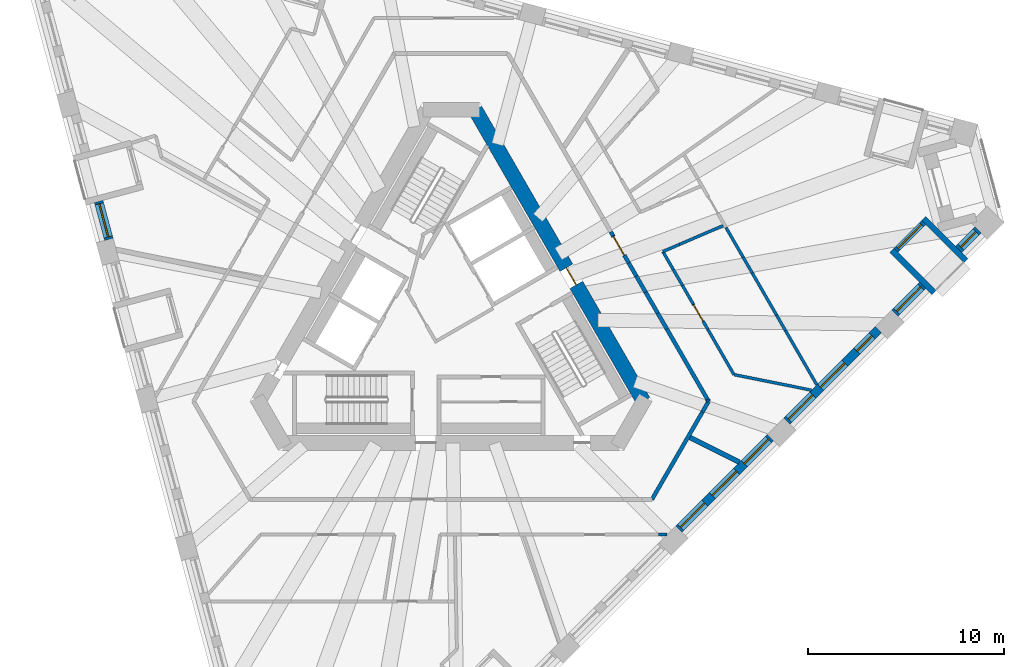
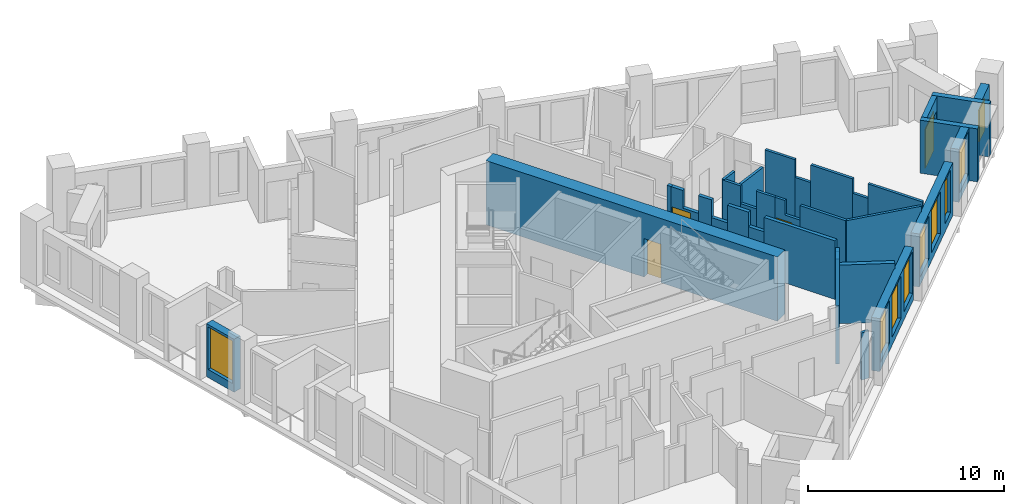
# One storey, part 5 of 13: 34 walls, 9 windows, 4 doors, 13 openings.
"""IFC4 building model written with IfcOpenShell, lengths in metres."""

from ifc_helpers import new_model, si_unit, direction, frame, frame_2d, origin, place, context, subcontext, project, spatial, polyline, rectangle, outline, extrude, material, layer, layer_set, type_object, element, fill, save


model = new_model("IFC4")

# Units and contexts
model_context = context("Model", 3, precision=1e-05, world=origin(), true_north=direction((0.0, 1.0)))
body_context = subcontext(model_context, "Body", "Model", "MODEL_VIEW")
ifc_project = project(units=[si_unit("LENGTHUNIT", "METRE"), si_unit("AREAUNIT", "SQUARE_METRE"), si_unit("VOLUMEUNIT", "CUBIC_METRE"), si_unit("PLANEANGLEUNIT", "RADIAN"), si_unit("MASSUNIT", "GRAM", prefix="KILO")], contexts=[model_context])

# Site, building, storey
site_placement = place(None, origin())
site = spatial("IfcSite", under=ifc_project, at=site_placement, CompositionType="ELEMENT")
building_placement = place(site_placement, origin())
building = spatial("IfcBuilding", under=site, at=building_placement, Name="Tramontana Tower", CompositionType="ELEMENT")
storey_placement = place(building_placement, frame((0.0, 0.0, 228.0)))
storey = spatial("IfcBuildingStorey", under=building, at=storey_placement, Name="L53", CompositionType="ELEMENT", Elevation=228.0)

# Wall, opening, door
ifc_material_1 = material(Name="Concrete 70 MPa", Category="concrete")
ifc_layer_1 = layer(ifc_material_1, 0.75)
ifc_layer_set_1 = layer_set([ifc_layer_1], Name="Core wall 750 70 MPa")
wall_type_1 = type_object("IfcWallType", Name="Core wall 750 70 MPa", PredefinedType="SHEAR", material=ifc_layer_set_1)
wall_1_placement = place(storey_placement, frame((9.81494140625, -4.25, 0.0), z_axis=(0.0, 0.0, 1.0), x_axis=(-0.500002161919, 0.866024155596, 0.0)))
wall_1 = element("IfcWall", 1, at=wall_1_placement, inside=storey, type_object=wall_type_1, Name="Core wall C5 L53", PredefinedType="SHEAR", context=body_context, shape_type="SweptSolid", body=[
    extrude(rectangle(XDim=17.17626953125, YDim=0.75, at=frame_2d((8.588134765625, 0.0))), origin(), (0.0, 0.0, 1.0), 4.0),
])
opening_1_placement = place(wall_1_placement, frame((6.863037109375, 0.0, 0.0)))
opening_1 = element("IfcOpeningElement", 2, at=opening_1_placement, cuts=wall_1, Name="Opening RG3", PredefinedType="OPENING", context=body_context, shape_type="SweptSolid", body=[
    extrude(rectangle(XDim=1.0, YDim=2.39990234375, at=frame_2d((0.5, 1.199951171875))), frame((0.0, 0.385009765625, 0.0), z_axis=(0.0, -1.0, 0.0), x_axis=(1.0, 0.0, 0.0)), (0.0, 0.0, 1.0), 0.77001953125),
])
ifc_material_2 = material(Name="Painted steel", Category="steel")
door_type_1 = type_object("IfcDoorType", Name="RING DOOR 1000", OperationType="SINGLE_SWING_LEFT", PredefinedType="DOOR", material=ifc_material_2)
door_1_placement = place(opening_1_placement, origin())
door_1 = element("IfcDoor", 3, at=door_1_placement, inside=storey, type_object=door_type_1, Name="Door RG3", OperationType="SINGLE_SWING_RIGHT", OverallHeight=2.39990234375, OverallWidth=1.0, PredefinedType="DOOR", context=body_context, shape_type="SweptSolid", body=[
    extrude(rectangle(XDim=1.0, YDim=2.39990234375, at=frame_2d((0.5, 1.199951171875))), frame((0.0, 0.02490234375, 0.0), z_axis=(0.0, -1.0, 0.0), x_axis=(1.0, 0.0, 0.0)), (0.0, 0.0, 1.0), 0.050048828125),
])
fill(opening_1, door_1)

# Wall
ifc_material_3 = material(Name="Blockwork", Category="masonry")
ifc_layer_2 = layer(ifc_material_3, 0.199951171875)
ifc_layer_set_2 = layer_set([ifc_layer_2], Name="ENTRY WALL 200")
wall_type_2 = type_object("IfcWallType", Name="ENTRY WALL 200", PredefinedType="SOLIDWALL", material=ifc_layer_set_2)
wall_2_placement = place(storey_placement, frame((8.143310546875, 4.3955078125, 0.0), z_axis=(0.0, 0.0, 1.0), x_axis=(0.499230902886, -0.866468987099, 0.0)))
element("IfcWall", 4, at=wall_2_placement, inside=storey, type_object=wall_type_2, Name="Wall v52-ew0-6", PredefinedType="SOLIDWALL", context=body_context, shape_type="SweptSolid", body=[
    extrude(rectangle(XDim=0.229248046875, YDim=0.199951171875, at=frame_2d((0.11474609375, 0.0))), origin(), (0.0, 0.0, 1.0), 3.64990234375),
])

# Wall, opening, door
wall_3_placement = place(storey_placement, frame((8.2578125, 4.19677734375, 0.0), z_axis=(0.0, 0.0, 1.0), x_axis=(0.500138504756, -0.865945423257, 0.0)))
wall_3 = element("IfcWall", 5, at=wall_3_placement, inside=storey, type_object=wall_type_2, Name="Wall v52-ew0-7", PredefinedType="SOLIDWALL", context=body_context, shape_type="SweptSolid", body=[
    extrude(outline(polyline([(0.0, 0.0), (1.6083984375, 0.0), (1.608642578125, 2.550048828125), (0.6943359375, 2.550048828125), (0.6943359375, 3.64990234375), (0.0, 3.64990234375), (0.0, 0.0)])), frame((0.0, 0.10009765625, 0.0), z_axis=(0.0, -1.0, 0.0), x_axis=(1.0, 0.0, 0.0)), (0.0, 0.0, 1.0), 0.199951171875),
])
opening_2_placement = place(wall_3_placement, frame((0.050048828125, 0.0, 0.0)))
opening_2 = element("IfcOpeningElement", 6, at=opening_2_placement, cuts=wall_3, Name="Opening B5C-19", PredefinedType="OPENING", context=body_context, shape_type="SweptSolid", body=[
    extrude(rectangle(XDim=1.10009765625, YDim=2.39990234375, at=frame_2d((0.550048828125, 1.199951171875))), frame((0.0, 0.10986328125, 0.0), z_axis=(0.0, -1.0, 0.0), x_axis=(1.0, 0.0, 0.0)), (0.0, 0.0, 1.0), 0.219970703125),
])
ifc_material_4 = material(Name="Painted timber", Category="wood")
door_type_2 = type_object("IfcDoorType", Name="DOOR ENTRY 1100", OperationType="SINGLE_SWING_LEFT", PredefinedType="DOOR", material=ifc_material_4)
door_2_placement = place(opening_2_placement, origin())
door_2 = element("IfcDoor", 7, at=door_2_placement, inside=storey, type_object=door_type_2, Name="Door B5C-19", OperationType="SINGLE_SWING_LEFT", OverallHeight=2.39990234375, OverallWidth=1.10009765625, PredefinedType="DOOR", context=body_context, shape_type="SweptSolid", body=[
    extrude(rectangle(XDim=1.10009765625, YDim=2.39990234375, at=frame_2d((0.550048828125, 1.199951171875))), frame((0.0, 0.02490234375, 0.0), z_axis=(0.0, -1.0, 0.0), x_axis=(1.0, 0.0, 0.0)), (0.0, 0.0, 1.0), 0.050048828125),
])
fill(opening_2, door_2)

# Walls
wall_4_placement = place(storey_placement, frame((9.062255859375, 2.803955078125, 0.0), z_axis=(0.0, 0.0, 1.0), x_axis=(0.499997253739, -0.866026989333, 0.0)))
element("IfcWall", 8, at=wall_4_placement, inside=storey, type_object=wall_type_2, Name="Wall v52-ew0-8", PredefinedType="SOLIDWALL", context=body_context, shape_type="SweptSolid", body=[
    extrude(rectangle(XDim=0.76904296875, YDim=0.199951171875, at=frame_2d((0.384521484375, 0.0))), origin(), (0.0, 0.0, 1.0), 3.64990234375),
])
wall_5_placement = place(storey_placement, frame((9.44677734375, 2.137939453125, 0.0), z_axis=(0.0, 0.0, 1.0), x_axis=(0.499869636591, -0.866100656052, 0.0)))
element("IfcWall", 9, at=wall_5_placement, inside=storey, type_object=wall_type_2, Name="Wall v52-ew0-9", PredefinedType="SOLIDWALL", context=body_context, shape_type="SweptSolid", body=[
    extrude(rectangle(XDim=0.957275390625, YDim=0.199951171875, at=frame_2d((0.478515625, 0.0))), origin(), (0.0, 0.0, 1.0), 2.550048828125),
])
wall_6_placement = place(storey_placement, frame((9.92529296875, 1.308837890625, 0.0), z_axis=(0.0, 0.0, 1.0), x_axis=(0.500055461028, -0.865993380977, 0.0)))
element("IfcWall", 10, at=wall_6_placement, inside=storey, type_object=wall_type_2, Name="Wall v52-ew0-10", PredefinedType="SOLIDWALL", context=body_context, shape_type="SweptSolid", body=[
    extrude(rectangle(XDim=1.226806640625, YDim=0.199951171875, at=frame_2d((0.61328125, 0.0))), origin(), (0.0, 0.0, 1.0), 3.64990234375),
])
wall_7_placement = place(storey_placement, frame((10.538818359375, 0.246337890625, 0.0), z_axis=(0.0, 0.0, 1.0), x_axis=(0.499971966783, -0.866041588165, 0.0)))
element("IfcWall", 11, at=wall_7_placement, inside=storey, type_object=wall_type_2, Name="Wall v52-ew0-11", PredefinedType="SOLIDWALL", context=body_context, shape_type="SweptSolid", body=[
    extrude(rectangle(XDim=0.931640625, YDim=0.199951171875, at=frame_2d((0.4658203125, 0.0))), origin(), (0.0, 0.0, 1.0), 2.75),
])
wall_8_placement = place(storey_placement, frame((11.004638671875, -0.560546875, 0.0), z_axis=(0.0, 0.0, 1.0), x_axis=(0.499993700073, -0.866029041019, 0.0)))
element("IfcWall", 12, at=wall_8_placement, inside=storey, type_object=wall_type_2, Name="Wall v52-ew0-12", PredefinedType="SOLIDWALL", context=body_context, shape_type="SweptSolid", body=[
    extrude(rectangle(XDim=4.1552734375, YDim=0.199951171875, at=frame_2d((2.07763671875, 0.0))), origin(), (0.0, 0.0, 1.0), 3.64990234375),
])
wall_9_placement = place(storey_placement, frame((13.082275390625, -4.1591796875, 0.0), z_axis=(0.0, 0.0, 1.0), x_axis=(0.500393920955, -0.865797853931, 0.0)))
element("IfcWall", 13, at=wall_9_placement, inside=storey, type_object=wall_type_2, Name="Wall v52-ew0-13", PredefinedType="SOLIDWALL", context=body_context, shape_type="SweptSolid", body=[
    extrude(rectangle(XDim=0.10498046875, YDim=0.199951171875, at=frame_2d((0.052490234375, 0.0))), origin(), (0.0, 0.0, 1.0), 2.949951171875),
])
wall_10_placement = place(storey_placement, frame((13.134765625, -4.25, 0.0), z_axis=(0.0, 0.0, 1.0), x_axis=(-0.500018234033, -0.866014876105, 0.0)))
element("IfcWall", 14, at=wall_10_placement, inside=storey, type_object=wall_type_2, Name="Wall v52-ew1-0", PredefinedType="SOLIDWALL", context=body_context, shape_type="SweptSolid", body=[
    extrude(rectangle(XDim=0.64306640625, YDim=0.199951171875, at=frame_2d((0.321533203125, 0.0))), origin(), (0.0, 0.0, 1.0), 2.949951171875),
])
wall_11_placement = place(storey_placement, frame((12.813232421875, -4.806884765625, 0.0), z_axis=(0.0, 0.0, 1.0), x_axis=(-0.499992949462, -0.866029474376, 0.0)))
element("IfcWall", 15, at=wall_11_placement, inside=storey, type_object=wall_type_2, Name="Wall v52-ew1-1", PredefinedType="SOLIDWALL", context=body_context, shape_type="SweptSolid", body=[
    extrude(rectangle(XDim=5.13037109375, YDim=0.199951171875, at=frame_2d((2.565185546875, 0.0))), origin(), (0.0, 0.0, 1.0), 3.64990234375),
])

# Wall, opening, window
ifc_material_5 = material(Name="Precast concrete 60 MPa", Category="concrete")
ifc_layer_3 = layer(ifc_material_5, 0.449951171875)
ifc_layer_set_3 = layer_set([ifc_layer_3], Name="Precast concrete 60 MPa, 450 mm")
wall_type_3 = type_object("IfcWallType", Name="EW1 Stone-faced precast wall 450", PredefinedType="SOLIDWALL", material=ifc_layer_set_3)
wall_12_placement = place(storey_placement, frame((-17.9755859375, 5.9423828125, 0.0), z_axis=(0.0, 0.0, 1.0), x_axis=(0.25891727291, -0.965899500874, 0.0)))
wall_12 = element("IfcWall", 16, at=wall_12_placement, inside=storey, type_object=wall_type_3, Name="External wall L53 face 0 bay 2", PredefinedType="SOLIDWALL", context=body_context, shape_type="SweptSolid", body=[
    extrude(rectangle(XDim=1.998046875, YDim=0.449951171875, at=frame_2d((0.9990234375, 0.0))), origin(), (0.0, 0.0, 1.0), 3.300048828125),
])
opening_3_placement = place(wall_12_placement, frame((0.1240234375, 0.0, 0.5)))
opening_3 = element("IfcOpeningElement", 17, at=opening_3_placement, cuts=wall_12, Name="Opening M2", PredefinedType="OPENING", context=body_context, shape_type="SweptSolid", body=[
    extrude(rectangle(XDim=1.75, YDim=2.64990234375, at=frame_2d((0.875, 1.324951171875))), frame((0.0, 0.23486328125, 0.0), z_axis=(0.0, -1.0, 0.0), x_axis=(1.0, 0.0, 0.0)), (0.0, 0.0, 1.0), 0.469970703125),
])
ifc_material_6 = material(Name="Aluminum frame, double glazing unit", Category="aluminium")
window_type_1 = type_object("IfcWindowType", Name="M2 Window 1.75 x 2.65", PartitioningType="SINGLE_PANEL", PredefinedType="WINDOW", material=ifc_material_6)
window_1_placement = place(opening_3_placement, origin())
window_1 = element("IfcWindow", 18, at=window_1_placement, inside=storey, type_object=window_type_1, Name="Window M2 L53 face 0 module 6", OverallHeight=2.64990234375, OverallWidth=1.75, PartitioningType="SINGLE_PANEL", PredefinedType="WINDOW", context=body_context, shape_type="SweptSolid", body=[
    extrude(rectangle(XDim=1.75, YDim=2.64990234375, at=frame_2d((0.875, 1.324951171875))), frame((0.0, 0.030029296875, 0.0), z_axis=(0.0, -1.0, 0.0), x_axis=(1.0, 0.0, 0.0)), (0.0, 0.0, 1.0), 0.06005859375),
])
fill(opening_3, window_1)

# Wall, openings, windows
wall_13_placement = place(storey_placement, frame((11.6142578125, -10.765625, 0.0), z_axis=(0.0, 0.0, 1.0), x_axis=(0.707106781187, 0.707106781187, 0.0)))
wall_13 = element("IfcWall", 19, at=wall_13_placement, inside=storey, type_object=wall_type_3, Name="External wall L53 face 1 bay 4", PredefinedType="SOLIDWALL", context=body_context, shape_type="SweptSolid", body=[
    extrude(rectangle(XDim=6.59423828125, YDim=0.449951171875, at=frame_2d((3.297119140625, 0.0))), origin(), (0.0, 0.0, 1.0), 3.300048828125),
])
opening_4_placement = place(wall_13_placement, frame((0.1240234375, 0.0, 0.5)))
opening_4 = element("IfcOpeningElement", 20, at=opening_4_placement, cuts=wall_13, Name="Opening M2", PredefinedType="OPENING", context=body_context, shape_type="SweptSolid", body=[
    extrude(rectangle(XDim=1.75, YDim=2.64990234375, at=frame_2d((0.875, 1.324951171875))), frame((0.0, 0.23486328125, 0.0), z_axis=(0.0, -1.0, 0.0), x_axis=(1.0, 0.0, 0.0)), (0.0, 0.0, 1.0), 0.469970703125),
])
opening_5_placement = place(wall_13_placement, frame((2.422119140625, 0.0, 0.5)))
opening_5 = element("IfcOpeningElement", 21, at=opening_5_placement, cuts=wall_13, Name="Opening M2", PredefinedType="OPENING", context=body_context, shape_type="SweptSolid", body=[
    extrude(rectangle(XDim=1.75, YDim=2.64990234375, at=frame_2d((0.875, 1.324951171875))), frame((0.0, 0.23486328125, 0.0), z_axis=(0.0, -1.0, 0.0), x_axis=(1.0, 0.0, 0.0)), (0.0, 0.0, 1.0), 0.469970703125),
])
opening_6_placement = place(wall_13_placement, frame((4.72021484375, 0.0, 0.5)))
opening_6 = element("IfcOpeningElement", 22, at=opening_6_placement, cuts=wall_13, Name="Opening M2", PredefinedType="OPENING", context=body_context, shape_type="SweptSolid", body=[
    extrude(rectangle(XDim=1.75, YDim=2.64990234375, at=frame_2d((0.875, 1.324951171875))), frame((0.0, 0.23486328125, 0.0), z_axis=(0.0, -1.0, 0.0), x_axis=(1.0, 0.0, 0.0)), (0.0, 0.0, 1.0), 0.469970703125),
])
window_2_placement = place(opening_4_placement, origin())
window_2 = element("IfcWindow", 23, at=window_2_placement, inside=storey, type_object=window_type_1, Name="Window M2 L53 face 1 module 10", OverallHeight=2.64990234375, OverallWidth=1.75, PartitioningType="SINGLE_PANEL", PredefinedType="WINDOW", context=body_context, shape_type="SweptSolid", body=[
    extrude(rectangle(XDim=1.75, YDim=2.64990234375, at=frame_2d((0.875, 1.324951171875))), frame((0.0, 0.030029296875, 0.0), z_axis=(0.0, -1.0, 0.0), x_axis=(1.0, 0.0, 0.0)), (0.0, 0.0, 1.0), 0.06005859375),
])
fill(opening_4, window_2)
window_3_placement = place(opening_5_placement, origin())
window_3 = element("IfcWindow", 24, at=window_3_placement, inside=storey, type_object=window_type_1, Name="Window M2 L53 face 1 module 11", OverallHeight=2.64990234375, OverallWidth=1.75, PartitioningType="SINGLE_PANEL", PredefinedType="WINDOW", context=body_context, shape_type="SweptSolid", body=[
    extrude(rectangle(XDim=1.75, YDim=2.64990234375, at=frame_2d((0.875, 1.324951171875))), frame((0.0, 0.030029296875, 0.0), z_axis=(0.0, -1.0, 0.0), x_axis=(1.0, 0.0, 0.0)), (0.0, 0.0, 1.0), 0.06005859375),
])
fill(opening_5, window_3)
window_4_placement = place(opening_6_placement, origin())
window_4 = element("IfcWindow", 25, at=window_4_placement, inside=storey, type_object=window_type_1, Name="Window M2 L53 face 1 module 12", OverallHeight=2.64990234375, OverallWidth=1.75, PartitioningType="SINGLE_PANEL", PredefinedType="WINDOW", context=body_context, shape_type="SweptSolid", body=[
    extrude(rectangle(XDim=1.75, YDim=2.64990234375, at=frame_2d((0.875, 1.324951171875))), frame((0.0, 0.030029296875, 0.0), z_axis=(0.0, -1.0, 0.0), x_axis=(1.0, 0.0, 0.0)), (0.0, 0.0, 1.0), 0.06005859375),
])
fill(opening_6, window_4)

wall_14_placement = place(storey_placement, frame((17.12548828125, -5.25439453125, 0.0), z_axis=(0.0, 0.0, 1.0), x_axis=(0.707106781187, 0.707106781187, 0.0)))
wall_14 = element("IfcWall", 26, at=wall_14_placement, inside=storey, type_object=wall_type_3, Name="External wall L53 face 1 bay 5", PredefinedType="SOLIDWALL", context=body_context, shape_type="SweptSolid", body=[
    extrude(rectangle(XDim=6.59423828125, YDim=0.449951171875, at=frame_2d((3.297119140625, 0.0))), origin(), (0.0, 0.0, 1.0), 3.300048828125),
])
opening_7_placement = place(wall_14_placement, frame((0.1240234375, 0.0, 0.5)))
opening_7 = element("IfcOpeningElement", 27, at=opening_7_placement, cuts=wall_14, Name="Opening M2", PredefinedType="OPENING", context=body_context, shape_type="SweptSolid", body=[
    extrude(rectangle(XDim=1.75, YDim=2.64990234375, at=frame_2d((0.875, 1.324951171875))), frame((0.0, 0.23486328125, 0.0), z_axis=(0.0, -1.0, 0.0), x_axis=(1.0, 0.0, 0.0)), (0.0, 0.0, 1.0), 0.469970703125),
])
opening_8_placement = place(wall_14_placement, frame((2.422119140625, 0.0, 0.5)))
opening_8 = element("IfcOpeningElement", 28, at=opening_8_placement, cuts=wall_14, Name="Opening M2", PredefinedType="OPENING", context=body_context, shape_type="SweptSolid", body=[
    extrude(rectangle(XDim=1.75, YDim=2.64990234375, at=frame_2d((0.875, 1.324951171875))), frame((0.0, 0.23486328125, 0.0), z_axis=(0.0, -1.0, 0.0), x_axis=(1.0, 0.0, 0.0)), (0.0, 0.0, 1.0), 0.469970703125),
])
opening_9_placement = place(wall_14_placement, frame((5.045166015625, 0.0, 0.5)))
opening_9 = element("IfcOpeningElement", 29, at=opening_9_placement, cuts=wall_14, Name="Opening N2", PredefinedType="OPENING", context=body_context, shape_type="SweptSolid", body=[
    extrude(rectangle(XDim=1.10009765625, YDim=2.64990234375, at=frame_2d((0.550048828125, 1.324951171875))), frame((0.0, 0.23486328125, 0.0), z_axis=(0.0, -1.0, 0.0), x_axis=(1.0, 0.0, 0.0)), (0.0, 0.0, 1.0), 0.469970703125),
])
window_5_placement = place(opening_7_placement, origin())
window_5 = element("IfcWindow", 30, at=window_5_placement, inside=storey, type_object=window_type_1, Name="Window M2 L53 face 1 module 13", OverallHeight=2.64990234375, OverallWidth=1.75, PartitioningType="SINGLE_PANEL", PredefinedType="WINDOW", context=body_context, shape_type="SweptSolid", body=[
    extrude(rectangle(XDim=1.75, YDim=2.64990234375, at=frame_2d((0.875, 1.324951171875))), frame((0.0, 0.030029296875, 0.0), z_axis=(0.0, -1.0, 0.0), x_axis=(1.0, 0.0, 0.0)), (0.0, 0.0, 1.0), 0.06005859375),
])
fill(opening_7, window_5)
window_6_placement = place(opening_8_placement, origin())
window_6 = element("IfcWindow", 31, at=window_6_placement, inside=storey, type_object=window_type_1, Name="Window M2 L53 face 1 module 14", OverallHeight=2.64990234375, OverallWidth=1.75, PartitioningType="SINGLE_PANEL", PredefinedType="WINDOW", context=body_context, shape_type="SweptSolid", body=[
    extrude(rectangle(XDim=1.75, YDim=2.64990234375, at=frame_2d((0.875, 1.324951171875))), frame((0.0, 0.030029296875, 0.0), z_axis=(0.0, -1.0, 0.0), x_axis=(1.0, 0.0, 0.0)), (0.0, 0.0, 1.0), 0.06005859375),
])
fill(opening_8, window_6)
ifc_material_7 = material(Name="Aluminum frame, double glazing unit", Category="aluminium")
window_type_2 = type_object("IfcWindowType", Name="N2 Window 1.1 x 2.65", PartitioningType="SINGLE_PANEL", PredefinedType="WINDOW", material=ifc_material_7)
window_7_placement = place(opening_9_placement, origin())
window_7 = element("IfcWindow", 32, at=window_7_placement, inside=storey, type_object=window_type_2, Name="Window N2 L53 face 1 module 15", OverallHeight=2.64990234375, OverallWidth=1.10009765625, PartitioningType="SINGLE_PANEL", PredefinedType="WINDOW", context=body_context, shape_type="SweptSolid", body=[
    extrude(rectangle(XDim=1.10009765625, YDim=2.64990234375, at=frame_2d((0.550048828125, 1.324951171875))), frame((0.0, 0.030029296875, 0.0), z_axis=(0.0, -1.0, 0.0), x_axis=(1.0, 0.0, 0.0)), (0.0, 0.0, 1.0), 0.06005859375),
])
fill(opening_9, window_7)

# Wall, opening, window
wall_15_placement = place(storey_placement, frame((22.636962890625, 0.257080078125, 0.0), z_axis=(0.0, 0.0, 1.0), x_axis=(0.707106781187, 0.707106781187, 0.0)))
wall_15 = element("IfcWall", 33, at=wall_15_placement, inside=storey, type_object=wall_type_3, Name="External wall L53 face 1 bay 6", PredefinedType="SOLIDWALL", context=body_context, shape_type="SweptSolid", body=[
    extrude(rectangle(XDim=1.998046875, YDim=0.449951171875, at=frame_2d((0.9990234375, 0.0))), origin(), (0.0, 0.0, 1.0), 3.300048828125),
])
opening_10_placement = place(wall_15_placement, frame((0.1240234375, 0.0, 0.5)))
opening_10 = element("IfcOpeningElement", 34, at=opening_10_placement, cuts=wall_15, Name="Opening M2", PredefinedType="OPENING", context=body_context, shape_type="SweptSolid", body=[
    extrude(rectangle(XDim=1.75, YDim=2.64990234375, at=frame_2d((0.875, 1.324951171875))), frame((0.0, 0.23486328125, 0.0), z_axis=(0.0, -1.0, 0.0), x_axis=(1.0, 0.0, 0.0)), (0.0, 0.0, 1.0), 0.469970703125),
])
window_8_placement = place(opening_10_placement, origin())
window_8 = element("IfcWindow", 35, at=window_8_placement, inside=storey, type_object=window_type_1, Name="Window M2 L53 face 1 module 16", OverallHeight=2.64990234375, OverallWidth=1.75, PartitioningType="SINGLE_PANEL", PredefinedType="WINDOW", context=body_context, shape_type="SweptSolid", body=[
    extrude(rectangle(XDim=1.75, YDim=2.64990234375, at=frame_2d((0.875, 1.324951171875))), frame((0.0, 0.030029296875, 0.0), z_axis=(0.0, -1.0, 0.0), x_axis=(1.0, 0.0, 0.0)), (0.0, 0.0, 1.0), 0.06005859375),
])
fill(opening_10, window_8)

wall_16_placement = place(storey_placement, frame((25.886962890625, 3.507080078125, 0.0), z_axis=(0.0, 0.0, 1.0), x_axis=(0.707106781187, 0.707106781187, 0.0)))
wall_16 = element("IfcWall", 36, at=wall_16_placement, inside=storey, type_object=wall_type_3, Name="External wall L53 face 1 bay 6", PredefinedType="SOLIDWALL", context=body_context, shape_type="SweptSolid", body=[
    extrude(rectangle(XDim=1.39794921875, YDim=0.449951171875, at=frame_2d((0.698974609375, 0.0))), origin(), (0.0, 0.0, 1.0), 3.300048828125),
])
opening_11_placement = place(wall_16_placement, frame((0.14892578125, 0.0, 0.5)))
opening_11 = element("IfcOpeningElement", 37, at=opening_11_placement, cuts=wall_16, Name="Opening N2L", PredefinedType="OPENING", context=body_context, shape_type="SweptSolid", body=[
    extrude(rectangle(XDim=1.10009765625, YDim=2.0, at=frame_2d((0.550048828125, 1.0))), frame((0.0, 0.23486328125, 0.0), z_axis=(0.0, -1.0, 0.0), x_axis=(1.0, 0.0, 0.0)), (0.0, 0.0, 1.0), 0.469970703125),
])
ifc_material_8 = material(Name="Aluminum frame, double glazing unit", Category="aluminium")
window_type_3 = type_object("IfcWindowType", Name="N2L Window 1.1 x 2", PartitioningType="SINGLE_PANEL", PredefinedType="WINDOW", material=ifc_material_8)
window_9_placement = place(opening_11_placement, origin())
window_9 = element("IfcWindow", 38, at=window_9_placement, inside=storey, type_object=window_type_3, Name="Window N2L L53 face 1 module 18", OverallHeight=2.0, OverallWidth=1.10009765625, PartitioningType="SINGLE_PANEL", PredefinedType="WINDOW", context=body_context, shape_type="SweptSolid", body=[
    extrude(rectangle(XDim=1.10009765625, YDim=2.0, at=frame_2d((0.550048828125, 1.0))), frame((0.0, 0.030029296875, 0.0), z_axis=(0.0, -1.0, 0.0), x_axis=(1.0, 0.0, 0.0)), (0.0, 0.0, 1.0), 0.06005859375),
])
fill(opening_11, window_9)

# Wall, opening, door
ifc_material_9 = material(Name="Precast concrete 60 MPa", Category="concrete")
ifc_layer_4 = layer(ifc_material_9, 0.300048828125)
ifc_layer_set_4 = layer_set([ifc_layer_4], Name="LW1 Stone-faced loggia wall 300")
wall_type_4 = type_object("IfcWallType", Name="LW1 Stone-faced loggia wall 300", PredefinedType="SOLIDWALL", material=ifc_layer_set_4)
wall_17_placement = place(storey_placement, frame((22.688720703125, 3.455322265625, 0.0), z_axis=(0.0, 0.0, 1.0), x_axis=(0.707106781187, 0.707106781187, 0.0)))
wall_17 = element("IfcWall", 39, at=wall_17_placement, inside=storey, type_object=wall_type_4, Name="Loggia wall L53 G5S1.16", PredefinedType="SOLIDWALL", context=body_context, shape_type="SweptSolid", body=[
    extrude(rectangle(XDim=1.998046875, YDim=0.300048828125, at=frame_2d((0.9990234375, 0.0))), origin(), (0.0, 0.0, 1.0), 3.300048828125),
])
opening_12_placement = place(wall_17_placement, frame((0.14892578125, 0.0, 0.0)))
opening_12 = element("IfcOpeningElement", 40, at=opening_12_placement, cuts=wall_17, Name="Opening BD-5S1-16", PredefinedType="OPENING", context=body_context, shape_type="SweptSolid", body=[
    extrude(rectangle(XDim=1.699951171875, YDim=2.449951171875, at=frame_2d((0.85009765625, 1.22509765625))), frame((0.0, 0.159912109375, 0.0), z_axis=(0.0, -1.0, 0.0), x_axis=(1.0, 0.0, 0.0)), (0.0, 0.0, 1.0), 0.320068359375),
])
ifc_material_10 = material(Name="Aluminum frame, double glazing unit", Category="aluminium")
door_type_3 = type_object("IfcDoorType", Name="BD2 Sliding door 1.7 x 2.45", OperationType="SLIDING_TO_LEFT", PredefinedType="DOOR", material=ifc_material_10)
door_3_placement = place(opening_12_placement, origin())
door_3 = element("IfcDoor", 41, at=door_3_placement, inside=storey, type_object=door_type_3, Name="Loggia door L53 G5S1.16", OperationType="SLIDING_TO_LEFT", OverallHeight=2.449951171875, OverallWidth=1.699951171875, PredefinedType="DOOR", context=body_context, shape_type="SweptSolid", body=[
    extrude(rectangle(XDim=1.699951171875, YDim=2.449951171875, at=frame_2d((0.85009765625, 1.22509765625))), frame((0.0, 0.02490234375, 0.0), z_axis=(0.0, -1.0, 0.0), x_axis=(1.0, 0.0, 0.0)), (0.0, 0.0, 1.0), 0.050048828125),
])
fill(opening_12, door_3)

# Walls
for number, where, z_axis, x_axis, name in (
    (42, (24.633056640625, 1.298583984375, 0.0), (0.0, 0.0, 1.0), (-0.707066755897, 0.707146804211, 0.0), "Loggia return L53 G5S1.16a"),
    (43, (26.258056640625, 2.923583984375, 0.0), (0.0, 0.0, 1.0), (-0.707066755897, 0.707146804211, 0.0), "Loggia return L53 G5S1.16b"),
):
    element("IfcWall", number, at=place(storey_placement, frame(where, z_axis=z_axis, x_axis=x_axis)), inside=storey, type_object=wall_type_4, Name=name, PredefinedType="SOLIDWALL", context=body_context, shape_type="SweptSolid", body=[
        extrude(rectangle(XDim=3.0498046875, YDim=0.300048828125, at=frame_2d((1.52490234375, 0.0))), origin(), (0.0, 0.0, 1.0), 3.300048828125),
    ])
ifc_material_11 = material(Name="Gypsum board partition")
ifc_layer_5 = layer(ifc_material_11, 0.14990234375)
ifc_layer_set_5 = layer_set([ifc_layer_5], Name="PARTITION 150")
wall_type_5 = type_object("IfcWallType", Name="PARTITION 150", PredefinedType="PARTITIONING", material=ifc_layer_set_5)
wall_18_placement = place(storey_placement, frame((10.803466796875, 3.387939453125, 0.0), z_axis=(0.0, 0.0, 1.0), x_axis=(0.499920058375, -0.866071553184, 0.0)))
element("IfcWall", 44, at=wall_18_placement, inside=storey, type_object=wall_type_5, Name="Wall v52-pw31-0", PredefinedType="PARTITIONING", context=body_context, shape_type="SweptSolid", body=[
    extrude(rectangle(XDim=1.069580078125, YDim=0.14990234375, at=frame_2d((0.53466796875, 0.0))), origin(), (0.0, 0.0, 1.0), 3.64990234375),
])
wall_19_placement = place(storey_placement, frame((11.338134765625, 2.461669921875, 0.0), z_axis=(0.0, 0.0, 1.0), x_axis=(0.500032811619, -0.866006459158, 0.0)))
element("IfcWall", 45, at=wall_19_placement, inside=storey, type_object=wall_type_5, Name="Wall v52-pw31-1", PredefinedType="PARTITIONING", context=body_context, shape_type="SweptSolid", body=[
    extrude(rectangle(XDim=0.9306640625, YDim=0.14990234375, at=frame_2d((0.46533203125, 0.0))), origin(), (0.0, 0.0, 1.0), 2.550048828125),
])
wall_20_placement = place(storey_placement, frame((11.803466796875, 1.65576171875, 0.0), z_axis=(0.0, 0.0, 1.0), x_axis=(0.500055614084, -0.865993292597, 0.0)))
element("IfcWall", 46, at=wall_20_placement, inside=storey, type_object=wall_type_5, Name="Wall v52-pw31-2", PredefinedType="PARTITIONING", context=body_context, shape_type="SweptSolid", body=[
    extrude(rectangle(XDim=1.099365234375, YDim=0.14990234375, at=frame_2d((0.5498046875, 0.0))), origin(), (0.0, 0.0, 1.0), 3.64990234375),
])

# Wall, opening, door
wall_21_placement = place(storey_placement, frame((12.353271484375, 0.70361328125, 0.0), z_axis=(0.0, 0.0, 1.0), x_axis=(0.49996987118, -0.866042797968, 0.0)))
wall_21 = element("IfcWall", 47, at=wall_21_placement, inside=storey, type_object=wall_type_5, Name="Wall v52-pw31-3", PredefinedType="PARTITIONING", context=body_context, shape_type="SweptSolid", body=[
    extrude(outline(polyline([(0.0, 0.0), (1.48046875, 0.0), (1.48046875, 2.75), (0.577880859375, 2.75), (0.577880859375, 3.64990234375), (0.0, 3.64990234375), (0.0, 0.0)])), frame((0.0, 0.074951171875, 0.0), z_axis=(0.0, -1.0, 0.0), x_axis=(1.0, 0.0, 0.0)), (0.0, 0.0, 1.0), 0.14990234375),
])
opening_13_placement = place(wall_21_placement, frame((0.050048828125, 0.0, 0.0)))
opening_13 = element("IfcOpeningElement", 48, at=opening_13_placement, cuts=wall_21, Name="Opening B5C-12", PredefinedType="OPENING", context=body_context, shape_type="SweptSolid", body=[
    extrude(rectangle(XDim=0.949951171875, YDim=2.39990234375, at=frame_2d((0.47509765625, 1.199951171875))), frame((0.0, 0.0849609375, 0.0), z_axis=(0.0, -1.0, 0.0), x_axis=(1.0, 0.0, 0.0)), (0.0, 0.0, 1.0), 0.169921875),
])
ifc_material_12 = material(Name="Painted timber", Category="wood")
door_type_4 = type_object("IfcDoorType", Name="DOOR ROOM 950", OperationType="SINGLE_SWING_LEFT", PredefinedType="DOOR", material=ifc_material_12)
door_4_placement = place(opening_13_placement, origin())
door_4 = element("IfcDoor", 49, at=door_4_placement, inside=storey, type_object=door_type_4, Name="Door B5C-12", OperationType="SINGLE_SWING_RIGHT", OverallHeight=2.39990234375, OverallWidth=0.949951171875, PredefinedType="DOOR", context=body_context, shape_type="SweptSolid", body=[
    extrude(rectangle(XDim=0.949951171875, YDim=2.39990234375, at=frame_2d((0.47509765625, 1.199951171875))), frame((0.0, 0.02490234375, 0.0), z_axis=(0.0, -1.0, 0.0), x_axis=(1.0, 0.0, 0.0)), (0.0, 0.0, 1.0), 0.050048828125),
])
fill(opening_13, door_4)

# Walls
wall_22_placement = place(storey_placement, frame((13.093505859375, -0.57861328125, 0.0), z_axis=(0.0, 0.0, 1.0), x_axis=(0.499975827765, -0.866039359181, 0.0)))
element("IfcWall", 50, at=wall_22_placement, inside=storey, type_object=wall_type_5, Name="Wall v52-pw31-4", PredefinedType="PARTITIONING", context=body_context, shape_type="SweptSolid", body=[
    extrude(rectangle(XDim=2.669189453125, YDim=0.14990234375, at=frame_2d((1.33447265625, 0.0))), origin(), (0.0, 0.0, 1.0), 3.64990234375),
])
wall_23_placement = place(storey_placement, frame((11.01171875, -11.050048828125, 0.0), z_axis=(0.0, 0.0, 1.0), x_axis=(-1.0, 0.0, 0.0)))
element("IfcWall", 51, at=wall_23_placement, inside=storey, type_object=wall_type_5, Name="Wall v52-pw32-0", PredefinedType="PARTITIONING", context=body_context, shape_type="SweptSolid", body=[
    extrude(rectangle(XDim=0.43896484375, YDim=0.14990234375, at=frame_2d((0.219482421875, 0.0))), origin(), (0.0, 0.0, 1.0), 2.949951171875),
])
wall_24_placement = place(storey_placement, frame((14.021728515625, 4.613525390625, 0.0), z_axis=(0.0, 0.0, 1.0), x_axis=(0.500047902311, -0.865997745606, 0.0)))
element("IfcWall", 52, at=wall_24_placement, inside=storey, type_object=wall_type_5, Name="Wall v52-pw33-4", PredefinedType="PARTITIONING", context=body_context, shape_type="SweptSolid", body=[
    extrude(rectangle(XDim=1.753173828125, YDim=0.14990234375, at=frame_2d((0.87646484375, 0.0))), origin(), (0.0, 0.0, 1.0), 3.64990234375),
])
wall_25_placement = place(storey_placement, frame((14.8984375, 3.09521484375, 0.0), z_axis=(0.0, 0.0, 1.0), x_axis=(0.500032811619, -0.866006459158, 0.0)))
element("IfcWall", 53, at=wall_25_placement, inside=storey, type_object=wall_type_5, Name="Wall v52-pw33-5", PredefinedType="PARTITIONING", context=body_context, shape_type="SweptSolid", body=[
    extrude(rectangle(XDim=0.9306640625, YDim=0.14990234375, at=frame_2d((0.46533203125, 0.0))), origin(), (0.0, 0.0, 1.0), 2.550048828125),
])
wall_26_placement = place(storey_placement, frame((15.36376953125, 2.289306640625, 0.0), z_axis=(0.0, 0.0, 1.0), x_axis=(0.499978546328, -0.866037789714, 0.0)))
element("IfcWall", 54, at=wall_26_placement, inside=storey, type_object=wall_type_5, Name="Wall v52-pw33-6", PredefinedType="PARTITIONING", context=body_context, shape_type="SweptSolid", body=[
    extrude(rectangle(XDim=2.4755859375, YDim=0.14990234375, at=frame_2d((1.23779296875, 0.0))), origin(), (0.0, 0.0, 1.0), 3.64990234375),
])
wall_27_placement = place(storey_placement, frame((16.6015625, 0.145263671875, 0.0), z_axis=(0.0, 0.0, 1.0), x_axis=(0.499980071345, -0.866036909293, 0.0)))
element("IfcWall", 55, at=wall_27_placement, inside=storey, type_object=wall_type_5, Name="Wall v52-pw33-7", PredefinedType="PARTITIONING", context=body_context, shape_type="SweptSolid", body=[
    extrude(rectangle(XDim=0.90234375, YDim=0.14990234375, at=frame_2d((0.451171875, 0.0))), origin(), (0.0, 0.0, 1.0), 2.75),
])
wall_28_placement = place(storey_placement, frame((17.052734375, -0.63623046875, 0.0), z_axis=(0.0, 0.0, 1.0), x_axis=(0.50001073616, -0.866019205171, 0.0)))
element("IfcWall", 56, at=wall_28_placement, inside=storey, type_object=wall_type_5, Name="Wall v52-pw33-8", PredefinedType="PARTITIONING", context=body_context, shape_type="SweptSolid", body=[
    extrude(rectangle(XDim=3.201171875, YDim=0.14990234375, at=frame_2d((1.6005859375, 0.0))), origin(), (0.0, 0.0, 1.0), 3.64990234375),
])
wall_29_placement = place(storey_placement, frame((13.87841796875, 4.711669921875, 0.0), z_axis=(0.0, 0.0, 1.0), x_axis=(-0.918800490112, -0.394722255985, 0.0)))
element("IfcWall", 57, at=wall_29_placement, inside=storey, type_object=wall_type_5, Name="Wall v52-pw35-0", PredefinedType="PARTITIONING", context=body_context, shape_type="SweptSolid", body=[
    extrude(rectangle(XDim=2.42138671875, YDim=0.14990234375, at=frame_2d((1.210693359375, 0.0))), origin(), (0.0, 0.0, 1.0), 2.550048828125),
])
wall_30_placement = place(storey_placement, frame((11.653564453125, 3.755859375, 0.0), z_axis=(0.0, 0.0, 1.0), x_axis=(-0.918762124503, -0.394811548184, 0.0)))
element("IfcWall", 58, at=wall_30_placement, inside=storey, type_object=wall_type_5, Name="Wall v52-pw35-1", PredefinedType="PARTITIONING", context=body_context, shape_type="SweptSolid", body=[
    extrude(rectangle(XDim=0.924560546875, YDim=0.14990234375, at=frame_2d((0.46240234375, 0.0))), origin(), (0.0, 0.0, 1.0), 3.64990234375),
])
wall_31_placement = place(storey_placement, frame((14.429443359375, -2.89111328125, 0.0), z_axis=(0.0, 0.0, 1.0), x_axis=(0.980520024382, -0.196419148218, 0.0)))
element("IfcWall", 59, at=wall_31_placement, inside=storey, type_object=wall_type_5, Name="Wall v52-pw36", PredefinedType="PARTITIONING", context=body_context, shape_type="SweptSolid", body=[
    extrude(rectangle(XDim=4.0283203125, YDim=0.14990234375, at=frame_2d((2.01416015625, 0.0))), origin(), (0.0, 0.0, 1.0), 3.64990234375),
])
ifc_material_13 = material(Name="Blockwork", Category="masonry")
ifc_layer_6 = layer(ifc_material_13, 0.25)
ifc_layer_set_6 = layer_set([ifc_layer_6], Name="PARTY WALL 250")
wall_type_6 = type_object("IfcWallType", Name="PARTY WALL 250", PredefinedType="SOLIDWALL", material=ifc_layer_set_6)
wall_32_placement = place(storey_placement, frame((12.1845703125, -6.095703125, 0.0), z_axis=(0.0, 0.0, 1.0), x_axis=(0.894323216057, -0.44742148498, 0.0)))
element("IfcWall", 60, at=wall_32_placement, inside=storey, type_object=wall_type_6, Name="Wall v52-pw34", PredefinedType="SOLIDWALL", context=body_context, shape_type="SweptSolid", body=[
    extrude(rectangle(XDim=2.818359375, YDim=0.25, at=frame_2d((1.4091796875, 0.0))), origin(), (0.0, 0.0, 1.0), 3.64990234375),
])

save(model, "model.ifc")
